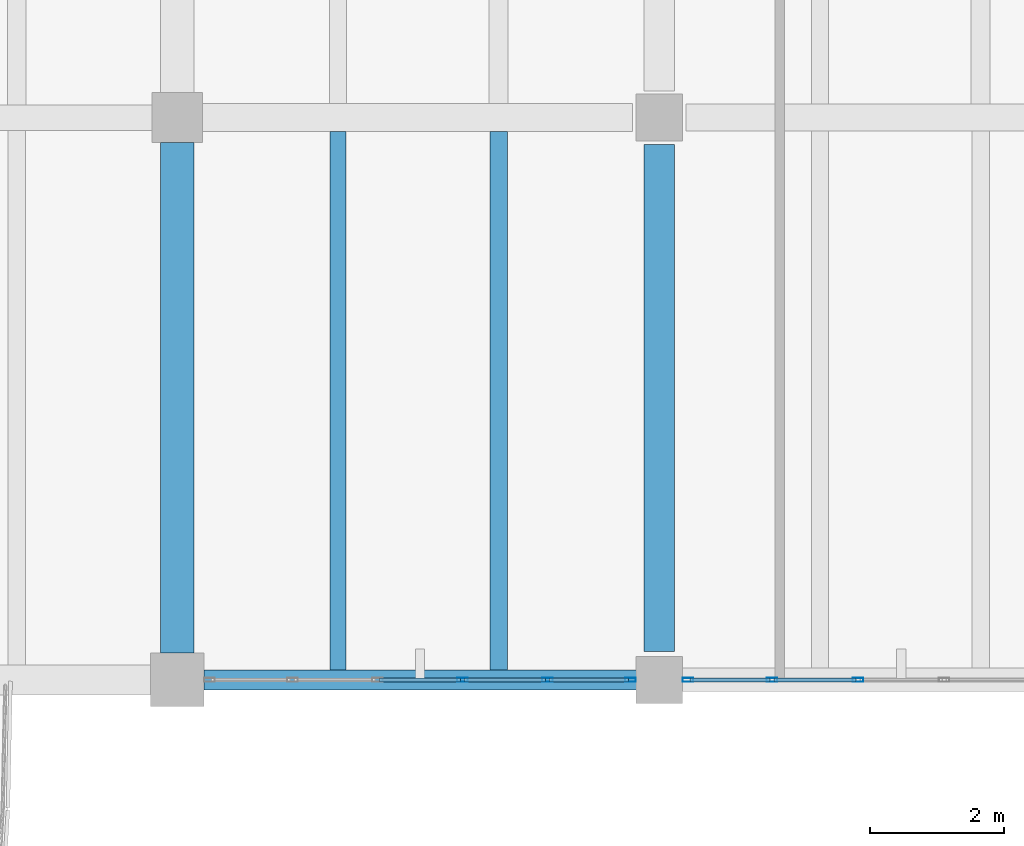
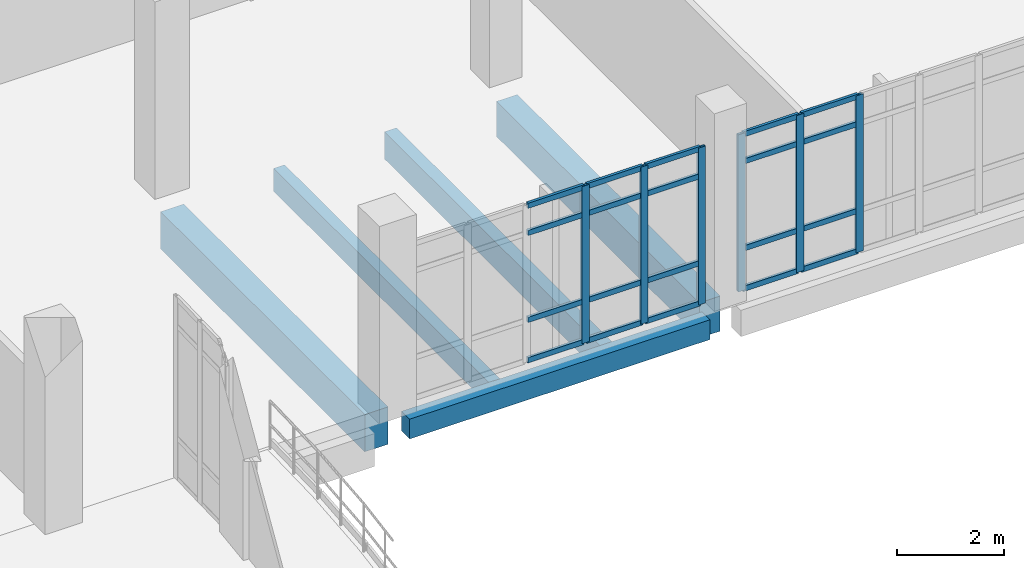
# One storey, part 69 of 116: 26 members, 5 beams, 2 elements without a shape of their own.
"""IFC4 building model written with IfcOpenShell, lengths in metres."""

from ifc_helpers import new_model, si_unit, direction, frame, origin, origin_2d, place, context, subcontext, project, spatial, rectangle, hollow_rectangle, extrude, material, material_profile, profile_set, type_object, element, aggregate, save


model = new_model("IFC4")

# Units and contexts
model_context = context("Model", 3, precision=1e-05, world=origin(), true_north=direction((0.0, 1.0)))
body_context = subcontext(model_context, "Body", "Model", "MODEL_VIEW")
ifc_project = project(units=[si_unit("LENGTHUNIT", "METRE"), si_unit("AREAUNIT", "SQUARE_METRE"), si_unit("VOLUMEUNIT", "CUBIC_METRE"), si_unit("PLANEANGLEUNIT", "RADIAN"), si_unit("MASSUNIT", "GRAM", prefix="KILO")], contexts=[model_context])

# Site, building, storey
site_placement = place(None, origin())
site = spatial("IfcSite", under=ifc_project, at=site_placement, CompositionType="ELEMENT")
building_placement = place(site_placement, origin())
building = spatial("IfcBuilding", under=site, at=building_placement, Name="Kalluvel Institute of Natural Sciences", CompositionType="ELEMENT")
storey_placement = place(building_placement, frame((0.0, 0.0, 14.39990234375)))
storey = spatial("IfcBuildingStorey", under=building, at=storey_placement, Name="L03", CompositionType="ELEMENT", Elevation=14.39990234375)

# Beams
ifc_material_1 = material(Name="Concrete M40", Category="concrete")
ifc_material_profile_1 = material_profile(ifc_material_1, rectangle(XDim=0.449951171875, YDim=0.800048828125, at=origin_2d()), Name="RCB 450x800")
ifc_profile_set_1 = profile_set([ifc_material_profile_1], Name="Concrete M40")
beam_type_1 = type_object("IfcBeamType", Name="BM-RC450x800", PredefinedType="BEAM", material=ifc_profile_set_1)
beam_1_placement = place(storey_placement, frame((93.199951171875, 103.22509765625, -0.719970703125), z_axis=(0.0, 1.0, 0.0), x_axis=(-1.0, 0.0, 0.0)))
element("IfcBeam", 1, at=beam_1_placement, inside=storey, type_object=beam_type_1, Name="L03 girder GIR-L03-NS-X932-Y1028", PredefinedType="BEAM", context=body_context, shape_type="SweptSolid", body=[
    extrude(rectangle(XDim=0.449951171875, YDim=0.800048828125, at=origin_2d()), origin(), (0.0, 0.0, 1.0), 7.574951171875),
])
ifc_material_2 = material(Name="Concrete M50", Category="concrete")
ifc_material_profile_2 = material_profile(ifc_material_2, rectangle(XDim=0.5, YDim=0.85009765625, at=origin_2d()), Name="RCB 500x850")
ifc_profile_set_2 = profile_set([ifc_material_profile_2], Name="Concrete M50")
beam_type_2 = type_object("IfcBeamType", Name="BM-RC500x850", PredefinedType="BEAM", material=ifc_profile_set_2)
beam_2_placement = place(storey_placement, frame((86.0, 103.199951171875, -0.744873046875), z_axis=(0.0, 1.0, 0.0), x_axis=(-1.0, 0.0, 0.0)))
element("IfcBeam", 2, at=beam_2_placement, inside=storey, type_object=beam_type_2, Name="L03 girder GIR-L03-NS-X860-Y1028", PredefinedType="BEAM", context=body_context, shape_type="SweptSolid", body=[
    extrude(rectangle(XDim=0.5, YDim=0.85009765625, at=origin_2d()), origin(), (0.0, 0.0, 1.0), 7.625),
])

# Curtain wall, members
ifc_material_3 = material(Name="Aluminium AW-6063 T6", Category="aluminium")
curtain_wall_type = type_object("IfcCurtainWallType", Name="CW-WET-45", PredefinedType="USERDEFINED", material=ifc_material_3)
curtain_wall_1_placement = place(storey_placement, origin())
curtain_wall_1 = element("IfcCurtainWall", 3, at=curtain_wall_1_placement, inside=storey, type_object=curtain_wall_type, Name="L03 Gothic lancet curtain wall CWA-L03-X864-Y1028", ObjectType="UNITISED LANCET FACADE", PredefinedType="USERDEFINED")
ifc_material_profile_3 = material_profile(ifc_material_3, hollow_rectangle(XDim=0.06005859375, YDim=0.159912109375, WallThickness=0.00390625, at=origin_2d()), Name="CWM 60x160")
ifc_profile_set_3 = profile_set([ifc_material_profile_3], Name="Aluminium AW-6063 T6")
member_type_1 = type_object("IfcMemberType", Name="CWM-60x160", PredefinedType="MULLION", material=ifc_profile_set_3)
member_1_placement = place(storey_placement, frame((90.260009765625, 102.800048828125, 0.0), z_axis=(0.0, 0.0, 1.0), x_axis=(0.0, 1.0, 0.0)))
member_1 = element("IfcMember", 4, at=member_1_placement, type_object=member_type_1, Name="CW-01 mullion 4", PredefinedType="MULLION", context=body_context, shape_type="SweptSolid", body=[
    extrude(hollow_rectangle(XDim=0.06005859375, YDim=0.159912109375, WallThickness=0.00390625, at=origin_2d()), origin(), (0.0, 0.0, 1.0), 3.580078125),
])
member_2_placement = place(storey_placement, frame((91.530029296875, 102.800048828125, 0.0), z_axis=(0.0, 0.0, 1.0), x_axis=(0.0, 1.0, 0.0)))
member_2 = element("IfcMember", 5, at=member_2_placement, type_object=member_type_1, Name="CW-01 mullion 5", PredefinedType="MULLION", context=body_context, shape_type="SweptSolid", body=[
    extrude(hollow_rectangle(XDim=0.06005859375, YDim=0.159912109375, WallThickness=0.00390625, at=origin_2d()), origin(), (0.0, 0.0, 1.0), 3.580078125),
])
member_3_placement = place(storey_placement, frame((92.77001953125, 102.800048828125, 0.0), z_axis=(0.0, 0.0, 1.0), x_axis=(0.0, 1.0, 0.0)))
member_3 = element("IfcMember", 6, at=member_3_placement, type_object=member_type_1, Name="CW-01 mullion 6", PredefinedType="MULLION", context=body_context, shape_type="SweptSolid", body=[
    extrude(hollow_rectangle(XDim=0.06005859375, YDim=0.159912109375, WallThickness=0.00390625, at=origin_2d()), origin(), (0.0, 0.0, 1.0), 3.580078125),
])

curtain_wall_2_placement = place(storey_placement, origin())
curtain_wall_2 = element("IfcCurtainWall", 7, at=curtain_wall_2_placement, inside=storey, type_object=curtain_wall_type, Name="L03 Gothic lancet curtain wall CWA-L03-X936-Y1028", ObjectType="UNITISED LANCET FACADE", PredefinedType="USERDEFINED")
member_4_placement = place(storey_placement, frame((93.6298828125, 102.800048828125, 0.0), z_axis=(0.0, 0.0, 1.0), x_axis=(0.0, 1.0, 0.0)))
member_4 = element("IfcMember", 8, at=member_4_placement, type_object=member_type_1, Name="CW-01 mullion 1", PredefinedType="MULLION", context=body_context, shape_type="SweptSolid", body=[
    extrude(hollow_rectangle(XDim=0.06005859375, YDim=0.159912109375, WallThickness=0.00390625, at=origin_2d()), origin(), (0.0, 0.0, 1.0), 3.580078125),
])
member_5_placement = place(storey_placement, frame((94.885009765625, 102.800048828125, 0.0), z_axis=(0.0, 0.0, 1.0), x_axis=(0.0, 1.0, 0.0)))
member_5 = element("IfcMember", 9, at=member_5_placement, type_object=member_type_1, Name="CW-01 mullion 2", PredefinedType="MULLION", context=body_context, shape_type="SweptSolid", body=[
    extrude(hollow_rectangle(XDim=0.06005859375, YDim=0.159912109375, WallThickness=0.00390625, at=origin_2d()), origin(), (0.0, 0.0, 1.0), 3.580078125),
])
member_6_placement = place(storey_placement, frame((96.169921875, 102.800048828125, 0.0), z_axis=(0.0, 0.0, 1.0), x_axis=(0.0, 1.0, 0.0)))
member_6 = element("IfcMember", 10, at=member_6_placement, type_object=member_type_1, Name="CW-01 mullion 3", PredefinedType="MULLION", context=body_context, shape_type="SweptSolid", body=[
    extrude(hollow_rectangle(XDim=0.06005859375, YDim=0.159912109375, WallThickness=0.00390625, at=origin_2d()), origin(), (0.0, 0.0, 1.0), 3.580078125),
])

# Member
ifc_material_profile_4 = material_profile(ifc_material_3, hollow_rectangle(XDim=0.06005859375, YDim=0.1201171875, WallThickness=0.00390625, at=origin_2d()), Name="CWT 60x120")
ifc_profile_set_4 = profile_set([ifc_material_profile_4], Name="Aluminium AW-6063 T6")
member_type_2 = type_object("IfcMemberType", Name="CWT-60x120", PredefinedType="USERDEFINED", material=ifc_profile_set_4)
member_7_placement = place(storey_placement, frame((89.02001953125, 102.800048828125, 0.030029296875), z_axis=(1.0, 0.0, 0.0), x_axis=(0.0, 1.0, 0.0)))
member_7 = element("IfcMember", 11, at=member_7_placement, type_object=member_type_2, Name="CW-01 transom 3.1", ObjectType="TRANSOM", PredefinedType="USERDEFINED", context=body_context, shape_type="SweptSolid", body=[
    extrude(hollow_rectangle(XDim=0.06005859375, YDim=0.1201171875, WallThickness=0.00390625, at=origin_2d()), origin(), (0.0, 0.0, 1.0), 1.2099609375),
])

member_8_placement = place(storey_placement, frame((89.02001953125, 102.800048828125, 0.9501953125), z_axis=(1.0, 0.0, 0.0), x_axis=(0.0, 1.0, 0.0)))
member_8 = element("IfcMember", 12, at=member_8_placement, type_object=member_type_2, Name="CW-01 transom 3.2", ObjectType="TRANSOM", PredefinedType="USERDEFINED", context=body_context, shape_type="SweptSolid", body=[
    extrude(hollow_rectangle(XDim=0.06005859375, YDim=0.1201171875, WallThickness=0.00390625, at=origin_2d()), origin(), (0.0, 0.0, 1.0), 1.2099609375),
])

member_9_placement = place(storey_placement, frame((89.02001953125, 102.800048828125, 2.93017578125), z_axis=(1.0, 0.0, 0.0), x_axis=(0.0, 1.0, 0.0)))
member_9 = element("IfcMember", 13, at=member_9_placement, type_object=member_type_2, Name="CW-01 transom 3.3", ObjectType="TRANSOM", PredefinedType="USERDEFINED", context=body_context, shape_type="SweptSolid", body=[
    extrude(hollow_rectangle(XDim=0.06005859375, YDim=0.1201171875, WallThickness=0.00390625, at=origin_2d()), origin(), (0.0, 0.0, 1.0), 1.2099609375),
])

member_10_placement = place(storey_placement, frame((89.02001953125, 102.800048828125, 3.550048828125), z_axis=(1.0, 0.0, 0.0), x_axis=(0.0, 1.0, 0.0)))
member_10 = element("IfcMember", 14, at=member_10_placement, type_object=member_type_2, Name="CW-01 transom 3.4", ObjectType="TRANSOM", PredefinedType="USERDEFINED", context=body_context, shape_type="SweptSolid", body=[
    extrude(hollow_rectangle(XDim=0.06005859375, YDim=0.1201171875, WallThickness=0.00390625, at=origin_2d()), origin(), (0.0, 0.0, 1.0), 1.2099609375),
])

member_11_placement = place(storey_placement, frame((90.2900390625, 102.800048828125, 0.030029296875), z_axis=(1.0, 0.0, 0.0), x_axis=(0.0, 1.0, 0.0)))
member_11 = element("IfcMember", 15, at=member_11_placement, type_object=member_type_2, Name="CW-01 transom 4.1", ObjectType="TRANSOM", PredefinedType="USERDEFINED", context=body_context, shape_type="SweptSolid", body=[
    extrude(hollow_rectangle(XDim=0.06005859375, YDim=0.1201171875, WallThickness=0.00390625, at=origin_2d()), origin(), (0.0, 0.0, 1.0), 1.2099609375),
])

member_12_placement = place(storey_placement, frame((90.2900390625, 102.800048828125, 0.9501953125), z_axis=(1.0, 0.0, 0.0), x_axis=(0.0, 1.0, 0.0)))
member_12 = element("IfcMember", 16, at=member_12_placement, type_object=member_type_2, Name="CW-01 transom 4.2", ObjectType="TRANSOM", PredefinedType="USERDEFINED", context=body_context, shape_type="SweptSolid", body=[
    extrude(hollow_rectangle(XDim=0.06005859375, YDim=0.1201171875, WallThickness=0.00390625, at=origin_2d()), origin(), (0.0, 0.0, 1.0), 1.2099609375),
])

member_13_placement = place(storey_placement, frame((90.2900390625, 102.800048828125, 2.93017578125), z_axis=(1.0, 0.0, 0.0), x_axis=(0.0, 1.0, 0.0)))
member_13 = element("IfcMember", 17, at=member_13_placement, type_object=member_type_2, Name="CW-01 transom 4.3", ObjectType="TRANSOM", PredefinedType="USERDEFINED", context=body_context, shape_type="SweptSolid", body=[
    extrude(hollow_rectangle(XDim=0.06005859375, YDim=0.1201171875, WallThickness=0.00390625, at=origin_2d()), origin(), (0.0, 0.0, 1.0), 1.2099609375),
])

member_14_placement = place(storey_placement, frame((90.2900390625, 102.800048828125, 3.550048828125), z_axis=(1.0, 0.0, 0.0), x_axis=(0.0, 1.0, 0.0)))
member_14 = element("IfcMember", 18, at=member_14_placement, type_object=member_type_2, Name="CW-01 transom 4.4", ObjectType="TRANSOM", PredefinedType="USERDEFINED", context=body_context, shape_type="SweptSolid", body=[
    extrude(hollow_rectangle(XDim=0.06005859375, YDim=0.1201171875, WallThickness=0.00390625, at=origin_2d()), origin(), (0.0, 0.0, 1.0), 1.2099609375),
])

member_15_placement = place(storey_placement, frame((91.56005859375, 102.800048828125, 0.030029296875), z_axis=(1.0, 0.0, 0.0), x_axis=(0.0, 1.0, 0.0)))
member_15 = element("IfcMember", 19, at=member_15_placement, type_object=member_type_2, Name="CW-01 transom 5.1", ObjectType="TRANSOM", PredefinedType="USERDEFINED", context=body_context, shape_type="SweptSolid", body=[
    extrude(hollow_rectangle(XDim=0.06005859375, YDim=0.1201171875, WallThickness=0.00390625, at=origin_2d()), origin(), (0.0, 0.0, 1.0), 1.179931640625),
])

member_16_placement = place(storey_placement, frame((91.56005859375, 102.800048828125, 0.9501953125), z_axis=(1.0, 0.0, 0.0), x_axis=(0.0, 1.0, 0.0)))
member_16 = element("IfcMember", 20, at=member_16_placement, type_object=member_type_2, Name="CW-01 transom 5.2", ObjectType="TRANSOM", PredefinedType="USERDEFINED", context=body_context, shape_type="SweptSolid", body=[
    extrude(hollow_rectangle(XDim=0.06005859375, YDim=0.1201171875, WallThickness=0.00390625, at=origin_2d()), origin(), (0.0, 0.0, 1.0), 1.179931640625),
])

member_17_placement = place(storey_placement, frame((91.56005859375, 102.800048828125, 2.93017578125), z_axis=(1.0, 0.0, 0.0), x_axis=(0.0, 1.0, 0.0)))
member_17 = element("IfcMember", 21, at=member_17_placement, type_object=member_type_2, Name="CW-01 transom 5.3", ObjectType="TRANSOM", PredefinedType="USERDEFINED", context=body_context, shape_type="SweptSolid", body=[
    extrude(hollow_rectangle(XDim=0.06005859375, YDim=0.1201171875, WallThickness=0.00390625, at=origin_2d()), origin(), (0.0, 0.0, 1.0), 1.179931640625),
])

member_18_placement = place(storey_placement, frame((91.56005859375, 102.800048828125, 3.550048828125), z_axis=(1.0, 0.0, 0.0), x_axis=(0.0, 1.0, 0.0)))
member_18 = element("IfcMember", 22, at=member_18_placement, type_object=member_type_2, Name="CW-01 transom 5.4", ObjectType="TRANSOM", PredefinedType="USERDEFINED", context=body_context, shape_type="SweptSolid", body=[
    extrude(hollow_rectangle(XDim=0.06005859375, YDim=0.1201171875, WallThickness=0.00390625, at=origin_2d()), origin(), (0.0, 0.0, 1.0), 1.179931640625),
])

aggregate(curtain_wall_1, [member_1, member_2, member_3, member_7, member_8, member_9, member_10, member_11, member_12, member_13, member_14, member_15, member_16, member_17, member_18])

member_19_placement = place(storey_placement, frame((93.659912109375, 102.800048828125, 0.030029296875), z_axis=(1.0, 0.0, 0.0), x_axis=(0.0, 1.0, 0.0)))
member_19 = element("IfcMember", 23, at=member_19_placement, type_object=member_type_2, Name="CW-01 transom 1.1", ObjectType="TRANSOM", PredefinedType="USERDEFINED", context=body_context, shape_type="SweptSolid", body=[
    extrude(hollow_rectangle(XDim=0.06005859375, YDim=0.1201171875, WallThickness=0.00390625, at=origin_2d()), origin(), (0.0, 0.0, 1.0), 1.195068359375),
])

member_20_placement = place(storey_placement, frame((93.659912109375, 102.800048828125, 0.9501953125), z_axis=(1.0, 0.0, 0.0), x_axis=(0.0, 1.0, 0.0)))
member_20 = element("IfcMember", 24, at=member_20_placement, type_object=member_type_2, Name="CW-01 transom 1.2", ObjectType="TRANSOM", PredefinedType="USERDEFINED", context=body_context, shape_type="SweptSolid", body=[
    extrude(hollow_rectangle(XDim=0.06005859375, YDim=0.1201171875, WallThickness=0.00390625, at=origin_2d()), origin(), (0.0, 0.0, 1.0), 1.195068359375),
])

member_21_placement = place(storey_placement, frame((93.659912109375, 102.800048828125, 2.93017578125), z_axis=(1.0, 0.0, 0.0), x_axis=(0.0, 1.0, 0.0)))
member_21 = element("IfcMember", 25, at=member_21_placement, type_object=member_type_2, Name="CW-01 transom 1.3", ObjectType="TRANSOM", PredefinedType="USERDEFINED", context=body_context, shape_type="SweptSolid", body=[
    extrude(hollow_rectangle(XDim=0.06005859375, YDim=0.1201171875, WallThickness=0.00390625, at=origin_2d()), origin(), (0.0, 0.0, 1.0), 1.195068359375),
])

member_22_placement = place(storey_placement, frame((93.659912109375, 102.800048828125, 3.550048828125), z_axis=(1.0, 0.0, 0.0), x_axis=(0.0, 1.0, 0.0)))
member_22 = element("IfcMember", 26, at=member_22_placement, type_object=member_type_2, Name="CW-01 transom 1.4", ObjectType="TRANSOM", PredefinedType="USERDEFINED", context=body_context, shape_type="SweptSolid", body=[
    extrude(hollow_rectangle(XDim=0.06005859375, YDim=0.1201171875, WallThickness=0.00390625, at=origin_2d()), origin(), (0.0, 0.0, 1.0), 1.195068359375),
])

member_23_placement = place(storey_placement, frame((94.9150390625, 102.800048828125, 0.030029296875), z_axis=(1.0, 0.0, 0.0), x_axis=(0.0, 1.0, 0.0)))
member_23 = element("IfcMember", 27, at=member_23_placement, type_object=member_type_2, Name="CW-01 transom 2.1", ObjectType="TRANSOM", PredefinedType="USERDEFINED", context=body_context, shape_type="SweptSolid", body=[
    extrude(hollow_rectangle(XDim=0.06005859375, YDim=0.1201171875, WallThickness=0.00390625, at=origin_2d()), origin(), (0.0, 0.0, 1.0), 1.224853515625),
])

member_24_placement = place(storey_placement, frame((94.9150390625, 102.800048828125, 0.9501953125), z_axis=(1.0, 0.0, 0.0), x_axis=(0.0, 1.0, 0.0)))
member_24 = element("IfcMember", 28, at=member_24_placement, type_object=member_type_2, Name="CW-01 transom 2.2", ObjectType="TRANSOM", PredefinedType="USERDEFINED", context=body_context, shape_type="SweptSolid", body=[
    extrude(hollow_rectangle(XDim=0.06005859375, YDim=0.1201171875, WallThickness=0.00390625, at=origin_2d()), origin(), (0.0, 0.0, 1.0), 1.224853515625),
])

member_25_placement = place(storey_placement, frame((94.9150390625, 102.800048828125, 2.93017578125), z_axis=(1.0, 0.0, 0.0), x_axis=(0.0, 1.0, 0.0)))
member_25 = element("IfcMember", 29, at=member_25_placement, type_object=member_type_2, Name="CW-01 transom 2.3", ObjectType="TRANSOM", PredefinedType="USERDEFINED", context=body_context, shape_type="SweptSolid", body=[
    extrude(hollow_rectangle(XDim=0.06005859375, YDim=0.1201171875, WallThickness=0.00390625, at=origin_2d()), origin(), (0.0, 0.0, 1.0), 1.224853515625),
])

member_26_placement = place(storey_placement, frame((94.9150390625, 102.800048828125, 3.550048828125), z_axis=(1.0, 0.0, 0.0), x_axis=(0.0, 1.0, 0.0)))
member_26 = element("IfcMember", 30, at=member_26_placement, type_object=member_type_2, Name="CW-01 transom 2.4", ObjectType="TRANSOM", PredefinedType="USERDEFINED", context=body_context, shape_type="SweptSolid", body=[
    extrude(hollow_rectangle(XDim=0.06005859375, YDim=0.1201171875, WallThickness=0.00390625, at=origin_2d()), origin(), (0.0, 0.0, 1.0), 1.224853515625),
])

aggregate(curtain_wall_2, [member_4, member_5, member_6, member_19, member_20, member_21, member_22, member_23, member_24, member_25, member_26])

# Beams
ifc_material_profile_5 = material_profile(ifc_material_1, rectangle(XDim=0.300048828125, YDim=0.449951171875, at=origin_2d()), Name="RCB 300x450")
ifc_profile_set_5 = profile_set([ifc_material_profile_5], Name="Concrete M40")
beam_type_3 = type_object("IfcBeamType", Name="SP-RC300x450", PredefinedType="SPANDREL", material=ifc_profile_set_5)
beam_3_placement = place(storey_placement, frame((86.39990234375, 102.800048828125, -0.544921875), z_axis=(1.0, 0.0, 0.0), x_axis=(0.0, 1.0, 0.0)))
element("IfcBeam", 31, at=beam_3_placement, inside=storey, type_object=beam_type_3, Name="L03 girder GIR-L03-EW-X860-Y1028", PredefinedType="SPANDREL", context=body_context, shape_type="SweptSolid", body=[
    extrude(rectangle(XDim=0.300048828125, YDim=0.449951171875, at=origin_2d()), origin(), (0.0, 0.0, 1.0), 6.47509765625),
])
ifc_material_profile_6 = material_profile(ifc_material_1, rectangle(XDim=0.239990234375, YDim=0.52001953125, at=origin_2d()), Name="WAF 240x520")
ifc_profile_set_6 = profile_set([ifc_material_profile_6], Name="Concrete M40")
beam_type_4 = type_object("IfcBeamType", Name="WJ-240x520", PredefinedType="JOIST", material=ifc_profile_set_6)
beam_4_placement = place(storey_placement, frame((88.39990234375, 102.949951171875, -0.579833984375), z_axis=(0.0, 1.0, 0.0), x_axis=(-1.0, 0.0, 0.0)))
element("IfcBeam", 32, at=beam_4_placement, inside=storey, type_object=beam_type_4, Name="L03 waffle joist RIB-L03-0269", PredefinedType="JOIST", context=body_context, shape_type="SweptSolid", body=[
    extrude(rectangle(XDim=0.239990234375, YDim=0.52001953125, at=origin_2d()), origin(), (0.0, 0.0, 1.0), 8.0400390625),
])
ifc_material_profile_7 = material_profile(ifc_material_2, rectangle(XDim=0.260009765625, YDim=0.6201171875, at=origin_2d()), Name="WAF 260x620")
ifc_profile_set_7 = profile_set([ifc_material_profile_7], Name="Concrete M50")
beam_type_5 = type_object("IfcBeamType", Name="WJ-260x620", PredefinedType="JOIST", material=ifc_profile_set_7)
beam_5_placement = place(storey_placement, frame((90.800048828125, 102.949951171875, -0.6298828125), z_axis=(0.0, 1.0, 0.0), x_axis=(-1.0, 0.0, 0.0)))
element("IfcBeam", 33, at=beam_5_placement, inside=storey, type_object=beam_type_5, Name="L03 waffle joist RIB-L03-0270", PredefinedType="JOIST", context=body_context, shape_type="SweptSolid", body=[
    extrude(rectangle(XDim=0.260009765625, YDim=0.6201171875, at=origin_2d()), origin(), (0.0, 0.0, 1.0), 8.0400390625),
])

save(model, "model.ifc")
